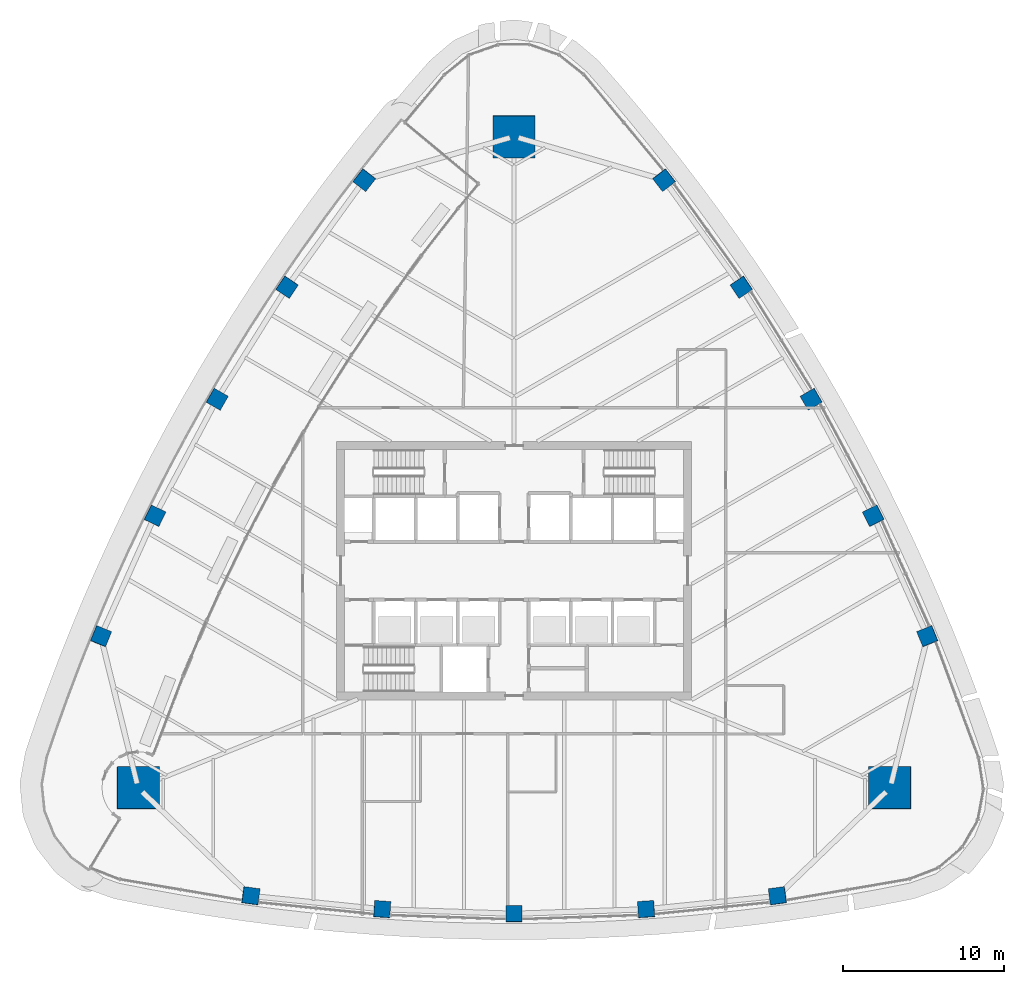
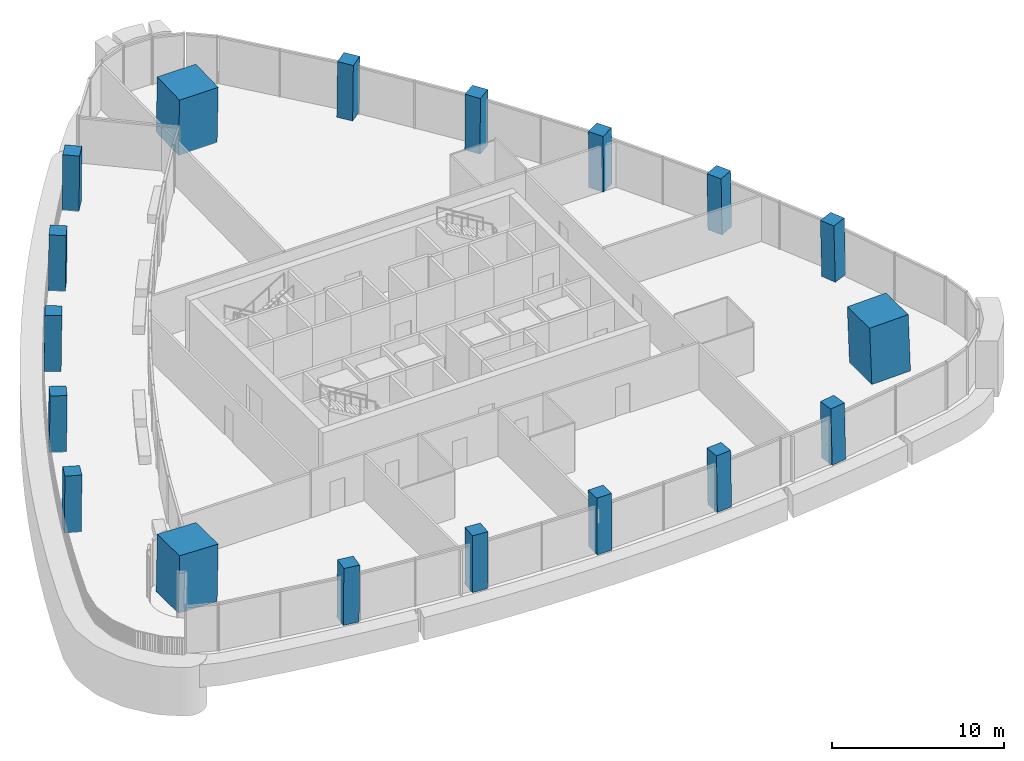
# One storey, part 1 of 18: 18 columns.
"""IFC4 building model written with IfcOpenShell, lengths in metres."""

from ifc_helpers import new_model, si_unit, direction, frame, origin, origin_2d, place, context, subcontext, project, spatial, rectangle, extrude, material, material_profile, profile_set, type_object, element, save


model = new_model("IFC4")

# Units and contexts
model_context = context("Model", 3, precision=1e-05, world=origin(), true_north=direction((0.0, 1.0)))
body_context = subcontext(model_context, "Body", "Model", "MODEL_VIEW")
ifc_project = project(units=[si_unit("LENGTHUNIT", "METRE"), si_unit("AREAUNIT", "SQUARE_METRE"), si_unit("VOLUMEUNIT", "CUBIC_METRE"), si_unit("PLANEANGLEUNIT", "RADIAN"), si_unit("MASSUNIT", "GRAM", prefix="KILO")], contexts=[model_context])

# Site, building, storey
site_placement = place(None, origin())
site = spatial("IfcSite", under=ifc_project, at=site_placement, CompositionType="ELEMENT")
building_placement = place(site_placement, origin())
building = spatial("IfcBuilding", under=site, at=building_placement, Name="Sierra Prisma Convention Tower", CompositionType="ELEMENT")
storey_placement = place(building_placement, frame((0.0, 0.0, 189.800048828125)))
storey = spatial("IfcBuildingStorey", under=building, at=storey_placement, Name="L42", CompositionType="ELEMENT", Elevation=189.800048828125)

# Columns
ifc_material_1 = material(Name="Concrete C60/75", Category="concrete")
ifc_material_profile_1 = material_profile(ifc_material_1, rectangle(XDim=2.60009765625, YDim=2.60009765625, at=origin_2d()), Name="Mega column RC 2600 C60/75")
ifc_profile_set_1 = profile_set([ifc_material_profile_1], Name="Concrete C60/75")
column_type_1 = type_object("IfcColumnType", Name="Mega column RC 2600 C60/75", PredefinedType="COLUMN", material=ifc_profile_set_1)
for number, where, z_axis, x_axis, name in (
    (1, (23.298828125, -13.45166015625, 0.0), (-0.02793953433, 0.016165887767, 0.999478887468), (0.99960961501, 0.000451843769, 0.027935880437), "Mega column SE L42"),
    (2, (0.0, 26.9033203125, 0.0), (0.0, -0.032331720729, 0.999477193254), (1.0, 0.0, 0.0), "Mega column N L42"),
    (3, (-23.298828125, -13.45166015625, 0.0), (0.02793953433, 0.016165887767, 0.999478887468), (0.99960961501, -0.000451843769, -0.027935880437), "Mega column SW L42"),
):
    element("IfcColumn", number, at=place(storey_placement, frame(where, z_axis=z_axis, x_axis=x_axis)), inside=storey, type_object=column_type_1, Name=name, PredefinedType="COLUMN", context=body_context, shape_type="SweptSolid", body=[
        extrude(rectangle(XDim=2.60009765625, YDim=2.60009765625, at=origin_2d()), origin(), (0.0, 0.0, 1.0), 4.002197265625),
    ])
ifc_material_2 = material(Name="Concrete C60/75", Category="concrete")
ifc_material_profile_2 = material_profile(ifc_material_2, rectangle(XDim=1.0, YDim=1.0, at=origin_2d()), Name="Perimeter column RC 1000 C60/75")
ifc_profile_set_2 = profile_set([ifc_material_profile_2], Name="Concrete C60/75")
column_type_2 = type_object("IfcColumnType", Name="Perimeter column RC 1000 C60/75", PredefinedType="COLUMN", material=ifc_profile_set_2)
column_1_placement = place(storey_placement, frame((-16.324951171875, -20.1474609375, 0.0), z_axis=(0.017635456472, 0.010434820265, 0.999790030557), x_axis=(-0.990693907899, 0.135157378224, 0.016064369367)))
element("IfcColumn", 4, at=column_1_placement, inside=storey, type_object=column_type_2, Name="Perimeter column S-1 L42", PredefinedType="COLUMN", context=body_context, shape_type="SweptSolid", body=[
    extrude(rectangle(XDim=1.0, YDim=1.0, at=origin_2d()), origin(), (0.0, 0.0, 1.0), 4.000732421875),
])
column_2_placement = place(storey_placement, frame((-8.18115234375, -20.977294921875, 0.0), z_axis=(0.008788174922, 0.01116830563, 0.999899013366), x_axis=(-0.997670848566, 0.067739841795, 0.008011975778)))
element("IfcColumn", 5, at=column_2_placement, inside=storey, type_object=column_type_2, Name="Perimeter column S-2 L42", PredefinedType="COLUMN", context=body_context, shape_type="SweptSolid", body=[
    extrude(rectangle(XDim=1.0, YDim=1.0, at=origin_2d()), origin(), (0.0, 0.0, 1.0), 4.00048828125),
])
column_3_placement = place(storey_placement, frame((0.0, -21.25439453125, 0.0), z_axis=(0.0, 0.011473854038, 0.99993417317), x_axis=(1.0, 0.0, 0.0)))
element("IfcColumn", 6, at=column_3_placement, inside=storey, type_object=column_type_2, Name="Perimeter column S-3 L42", PredefinedType="COLUMN", context=body_context, shape_type="SweptSolid", body=[
    extrude(rectangle(XDim=1.0, YDim=1.0, at=origin_2d()), origin(), (0.0, 0.0, 1.0), 4.000244140625),
])
column_4_placement = place(storey_placement, frame((8.18115234375, -20.977294921875, 0.0), z_axis=(-0.008788174922, 0.01116830563, 0.999899013366), x_axis=(0.997670848566, 0.067739841795, 0.008011975778)))
element("IfcColumn", 7, at=column_4_placement, inside=storey, type_object=column_type_2, Name="Perimeter column S-4 L42", PredefinedType="COLUMN", context=body_context, shape_type="SweptSolid", body=[
    extrude(rectangle(XDim=1.0, YDim=1.0, at=origin_2d()), origin(), (0.0, 0.0, 1.0), 4.00048828125),
])
for number, where, z_axis, x_axis, name in (
    (8, (16.324951171875, -20.1474609375, 0.0), (-0.017635456472, 0.010434820265, 0.999790030557), (0.990693907899, 0.135157378224, 0.016064369367), "Perimeter column S-5 L42"),
    (9, (25.610595703125, -4.064208984375, 0.0), (-0.017818532551, 0.010068691339, 0.999790538739), (-0.378465749912, 0.925475866276, -0.016065400202), "Perimeter column NE-1 L42"),
):
    element("IfcColumn", number, at=place(storey_placement, frame(where, z_axis=z_axis, x_axis=x_axis)), inside=storey, type_object=column_type_2, Name=name, PredefinedType="COLUMN", context=body_context, shape_type="SweptSolid", body=[
        extrude(rectangle(XDim=1.0, YDim=1.0, at=origin_2d()), origin(), (0.0, 0.0, 1.0), 4.000732421875),
    ])
column_5_placement = place(storey_placement, frame((22.25732421875, 3.403564453125, 0.0), z_axis=(-0.014036674448, 0.002013957638, 0.999899452818), x_axis=(-0.440228043652, 0.897850463868, -0.007988373739)))
element("IfcColumn", 10, at=column_5_placement, inside=storey, type_object=column_type_2, Name="Perimeter column NE-2 L42", PredefinedType="COLUMN", context=body_context, shape_type="SweptSolid", body=[
    extrude(rectangle(XDim=1.0, YDim=1.0, at=origin_2d()), origin(), (0.0, 0.0, 1.0), 4.00048828125),
])
column_6_placement = place(storey_placement, frame((18.40673828125, 10.627197265625, 0.0), z_axis=(-0.009887049298, -0.00573692984, 0.999934664812), x_axis=(-0.499975560967, 0.866039512843, 2.5126546e-05)))
element("IfcColumn", 11, at=column_6_placement, inside=storey, type_object=column_type_2, Name="Perimeter column NE-3 L42", PredefinedType="COLUMN", context=body_context, shape_type="SweptSolid", body=[
    extrude(rectangle(XDim=1.0, YDim=1.0, at=origin_2d()), origin(), (0.0, 0.0, 1.0), 4.000244140625),
])
column_7_placement = place(storey_placement, frame((14.076171875, 17.57373046875, 0.0), z_axis=(-0.005248490815, -0.013243284963, 0.999898529226), x_axis=(-0.557430280298, 0.830184536974, 0.00806952151)))
element("IfcColumn", 12, at=column_7_placement, inside=storey, type_object=column_type_2, Name="Perimeter column NE-4 L42", PredefinedType="COLUMN", context=body_context, shape_type="SweptSolid", body=[
    extrude(rectangle(XDim=1.0, YDim=1.0, at=origin_2d()), origin(), (0.0, 0.0, 1.0), 4.00048828125),
])
for number, where, z_axis, x_axis, name in (
    (13, (9.28564453125, 24.21142578125, 0.0), (-0.000183067202, -0.020442504242, 0.999791013416), (-0.612322145425, 0.790445437443, 0.016049942328), "Perimeter column NE-5 L42"),
    (14, (-9.28564453125, 24.21142578125, 0.0), (0.000183067202, -0.020442504242, 0.999791013416), (0.612322145425, 0.790445437443, 0.016049942328), "Perimeter column NW-1 L42"),
):
    element("IfcColumn", number, at=place(storey_placement, frame(where, z_axis=z_axis, x_axis=x_axis)), inside=storey, type_object=column_type_2, Name=name, PredefinedType="COLUMN", context=body_context, shape_type="SweptSolid", body=[
        extrude(rectangle(XDim=1.0, YDim=1.0, at=origin_2d()), origin(), (0.0, 0.0, 1.0), 4.000732421875),
    ])
column_8_placement = place(storey_placement, frame((-14.076171875, 17.57373046875, 0.0), z_axis=(0.005248490815, -0.013243284963, 0.999898529226), x_axis=(0.557430280298, 0.830184536974, 0.00806952151)))
element("IfcColumn", 15, at=column_8_placement, inside=storey, type_object=column_type_2, Name="Perimeter column NW-2 L42", PredefinedType="COLUMN", context=body_context, shape_type="SweptSolid", body=[
    extrude(rectangle(XDim=1.0, YDim=1.0, at=origin_2d()), origin(), (0.0, 0.0, 1.0), 4.00048828125),
])
column_9_placement = place(storey_placement, frame((-18.40673828125, 10.627197265625, 0.0), z_axis=(0.009887049298, -0.00573692984, 0.999934664812), x_axis=(0.499975560967, 0.866039512843, 2.5126546e-05)))
element("IfcColumn", 16, at=column_9_placement, inside=storey, type_object=column_type_2, Name="Perimeter column NW-3 L42", PredefinedType="COLUMN", context=body_context, shape_type="SweptSolid", body=[
    extrude(rectangle(XDim=1.0, YDim=1.0, at=origin_2d()), origin(), (0.0, 0.0, 1.0), 4.000244140625),
])
column_10_placement = place(storey_placement, frame((-22.25732421875, 3.403564453125, 0.0), z_axis=(0.014036674448, 0.002013957638, 0.999899452818), x_axis=(0.440228043652, 0.897850463868, -0.007988373739)))
element("IfcColumn", 17, at=column_10_placement, inside=storey, type_object=column_type_2, Name="Perimeter column NW-4 L42", PredefinedType="COLUMN", context=body_context, shape_type="SweptSolid", body=[
    extrude(rectangle(XDim=1.0, YDim=1.0, at=origin_2d()), origin(), (0.0, 0.0, 1.0), 4.00048828125),
])
column_11_placement = place(storey_placement, frame((-25.610595703125, -4.064208984375, 0.0), z_axis=(0.017818532551, 0.010068691339, 0.999790538739), x_axis=(0.378465749912, 0.925475866276, -0.016065400202)))
element("IfcColumn", 18, at=column_11_placement, inside=storey, type_object=column_type_2, Name="Perimeter column NW-5 L42", PredefinedType="COLUMN", context=body_context, shape_type="SweptSolid", body=[
    extrude(rectangle(XDim=1.0, YDim=1.0, at=origin_2d()), origin(), (0.0, 0.0, 1.0), 4.000732421875),
])

save(model, "model.ifc")
